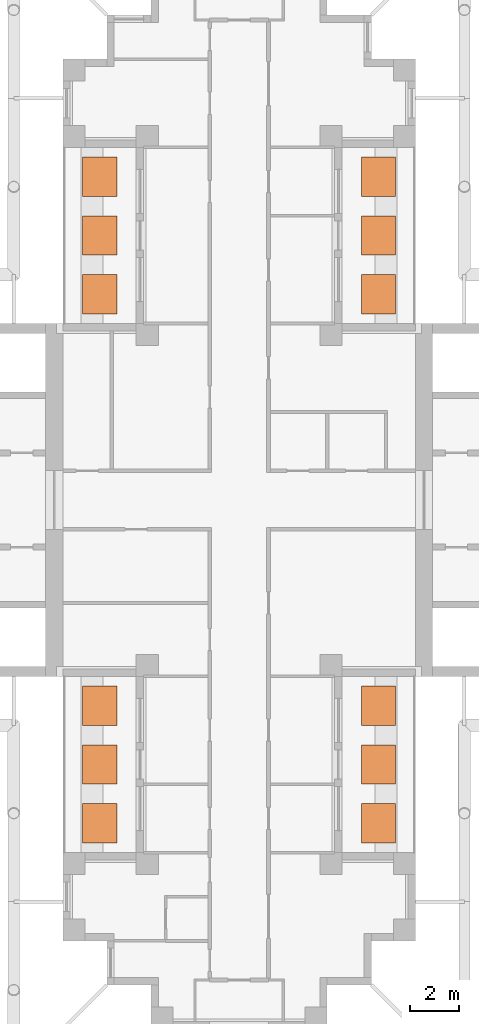
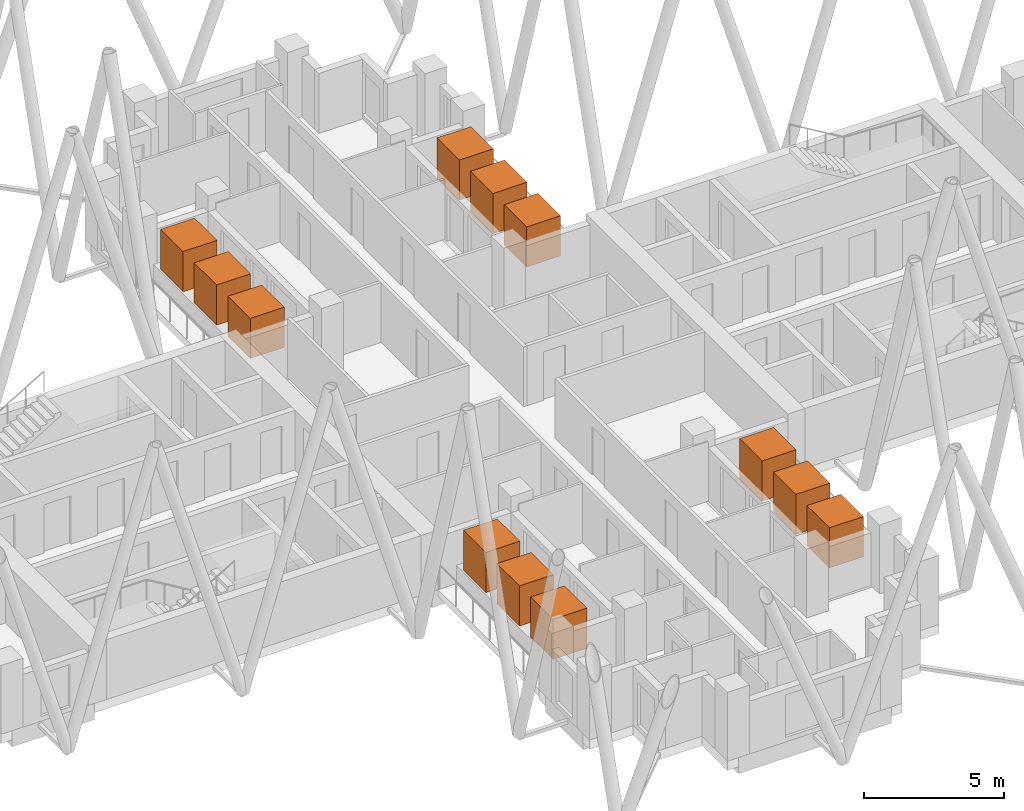
# One storey, part 11 of 11: 12 geographic elements.
"""IFC4 building model written with IfcOpenShell, lengths in metres."""

from ifc_helpers import new_model, si_unit, direction, frame, origin, origin_2d, place, context, subcontext, project, spatial, rectangle, extrude, material, element, save


model = new_model("IFC4")

# Units and contexts
model_context = context("Model", 3, precision=1e-05, world=origin(), true_north=direction((0.0, 1.0)))
body_context = subcontext(model_context, "Body", "Model", "MODEL_VIEW")
ifc_project = project(units=[si_unit("LENGTHUNIT", "METRE"), si_unit("AREAUNIT", "SQUARE_METRE"), si_unit("VOLUMEUNIT", "CUBIC_METRE"), si_unit("PLANEANGLEUNIT", "RADIAN"), si_unit("MASSUNIT", "GRAM", prefix="KILO")], contexts=[model_context])

# Site, building, storey
site_placement = place(None, origin())
site = spatial("IfcSite", under=ifc_project, at=site_placement, CompositionType="ELEMENT")
building_placement = place(site_placement, origin())
building = spatial("IfcBuilding", under=site, at=building_placement, Name="Fustian Cross Tower", CompositionType="ELEMENT")
storey_placement = place(building_placement, frame((0.0, 0.0, 222.89990234375)))
storey = spatial("IfcBuildingStorey", under=building, at=storey_placement, Name="L70", CompositionType="ELEMENT", Elevation=222.89990234375)

# Geographic elements
ifc_material = material(Name="Evergreen foliage")
for number, where, z_axis, x_axis, name in (
    (1, (5.68994140625, 8.39990234375, 0.800048828125), (0.0, 0.0, 1.0), (1.0, 0.0, 0.0), "TREE field maple"),
    (2, (5.68994140625, 10.800048828125, 0.800048828125), (0.0, 0.0, 1.0), (1.0, 0.0, 0.0), "TREE field maple"),
    (3, (5.68994140625, 13.199951171875, 0.800048828125), (0.0, 0.0, 1.0), (1.0, 0.0, 0.0), "TREE field maple"),
    (4, (-5.68994140625, 8.39990234375, 0.800048828125), (0.0, 0.0, 1.0), (1.0, 0.0, 0.0), "TREE field maple"),
    (5, (-5.68994140625, 10.800048828125, 0.800048828125), (0.0, 0.0, 1.0), (1.0, 0.0, 0.0), "TREE field maple"),
    (6, (-5.68994140625, 13.199951171875, 0.800048828125), (0.0, 0.0, 1.0), (1.0, 0.0, 0.0), "TREE field maple"),
    (7, (5.68994140625, -13.199951171875, 0.800048828125), (0.0, 0.0, 1.0), (1.0, 0.0, 0.0), "TREE field maple"),
    (8, (5.68994140625, -10.800048828125, 0.800048828125), (0.0, 0.0, 1.0), (1.0, 0.0, 0.0), "TREE field maple"),
    (9, (5.68994140625, -8.39990234375, 0.800048828125), (0.0, 0.0, 1.0), (1.0, 0.0, 0.0), "TREE field maple"),
    (10, (-5.68994140625, -13.199951171875, 0.800048828125), (0.0, 0.0, 1.0), (1.0, 0.0, 0.0), "TREE field maple"),
    (11, (-5.68994140625, -10.800048828125, 0.800048828125), (0.0, 0.0, 1.0), (1.0, 0.0, 0.0), "TREE field maple"),
    (12, (-5.68994140625, -8.39990234375, 0.800048828125), (0.0, 0.0, 1.0), (1.0, 0.0, 0.0), "TREE field maple"),
):
    element("IfcGeographicElement", number, at=place(storey_placement, frame(where, z_axis=z_axis, x_axis=x_axis)), inside=storey, material=ifc_material, Name=name, ObjectType="VEGETATION", PredefinedType="USERDEFINED", context=body_context, shape_type="SweptSolid", body=[
        extrude(rectangle(XDim=1.39990234375, YDim=1.60009765625, at=origin_2d()), origin(), (0.0, 0.0, 1.0), 1.75),
    ])

save(model, "model.ifc")
